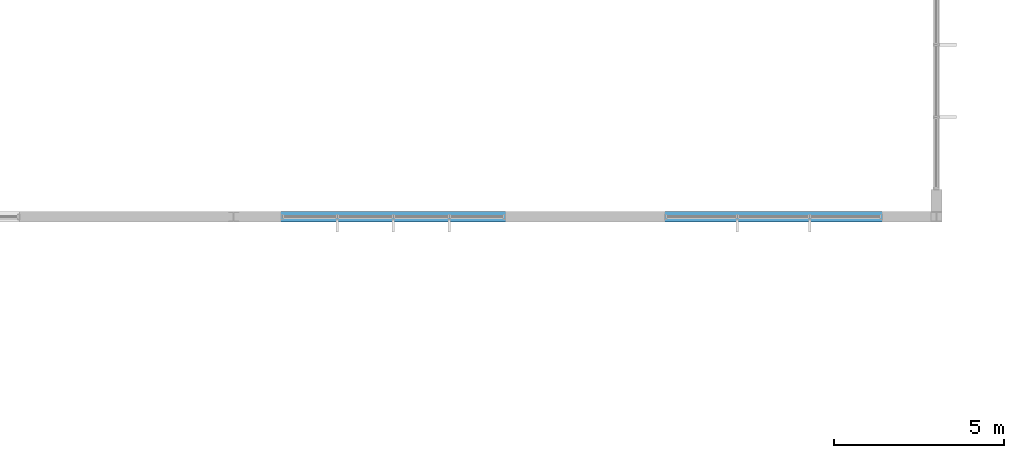
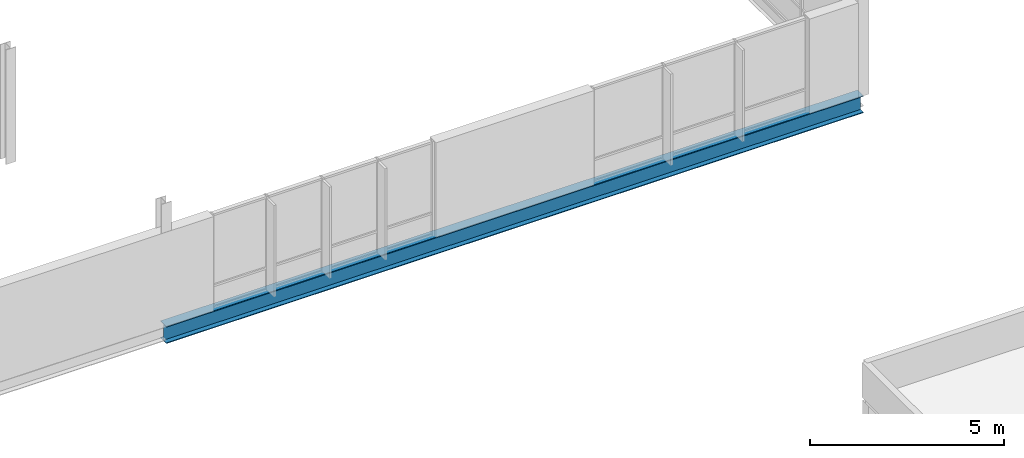
# One storey, part 111 of 189: 1 beam.
"""IFC4 building model written with IfcOpenShell, lengths in metres."""

from ifc_helpers import new_model, si_unit, direction, frame, origin, origin_2d, place, context, subcontext, project, spatial, i_section, extrude, material, material_profile, profile_set, type_object, element, save


model = new_model("IFC4")

# Units and contexts
model_context = context("Model", 3, precision=1e-05, world=origin(), true_north=direction((0.0, 1.0)))
body_context = subcontext(model_context, "Body", "Model", "MODEL_VIEW")
ifc_project = project(units=[si_unit("LENGTHUNIT", "METRE"), si_unit("AREAUNIT", "SQUARE_METRE"), si_unit("VOLUMEUNIT", "CUBIC_METRE"), si_unit("PLANEANGLEUNIT", "RADIAN"), si_unit("MASSUNIT", "GRAM", prefix="KILO")], contexts=[model_context])

# Site, building, storey
site_placement = place(None, origin())
site = spatial("IfcSite", under=ifc_project, at=site_placement, CompositionType="ELEMENT")
building_placement = place(site_placement, origin())
building = spatial("IfcBuilding", under=site, at=building_placement, Name="Zavelmont Quarter", CompositionType="ELEMENT")
storey_placement = place(building_placement, frame((0.0, 0.0, 4.39990234375)))
storey = spatial("IfcBuildingStorey", under=building, at=storey_placement, Name="L01", CompositionType="ELEMENT", Elevation=4.39990234375)

# Beam
ifc_material = material(Name="Steel S355", Category="steel")
ifc_material_profile = material_profile(ifc_material, i_section(OverallWidth=0.300048828125, OverallDepth=0.5400390625, WebThickness=0.012451171875, FlangeThickness=0.02392578125, at=origin_2d()), Name="HEA 550")
ifc_profile_set = profile_set([ifc_material_profile], Name="Steel S355")
beam_type = type_object("IfcBeamType", Name="BM11", PredefinedType="BEAM", material=ifc_profile_set)
beam_placement = place(storey_placement, frame((147.300048828125, 38.0, -0.5498046875), z_axis=(1.0, 0.0, 0.0), x_axis=(0.0, 1.0, 0.0)))
element("IfcBeam", 1, at=beam_placement, inside=storey, type_object=beam_type, Name="L01 beam BM11 22/G to 25/G", PredefinedType="BEAM", context=body_context, shape_type="SweptSolid", body=[
    extrude(i_section(OverallWidth=0.300048828125, OverallDepth=0.5400390625, WebThickness=0.012451171875, FlangeThickness=0.02392578125, at=origin_2d()), origin(), (0.0, 0.0, 1.0), 20.699951171875),
])

save(model, "model.ifc")
